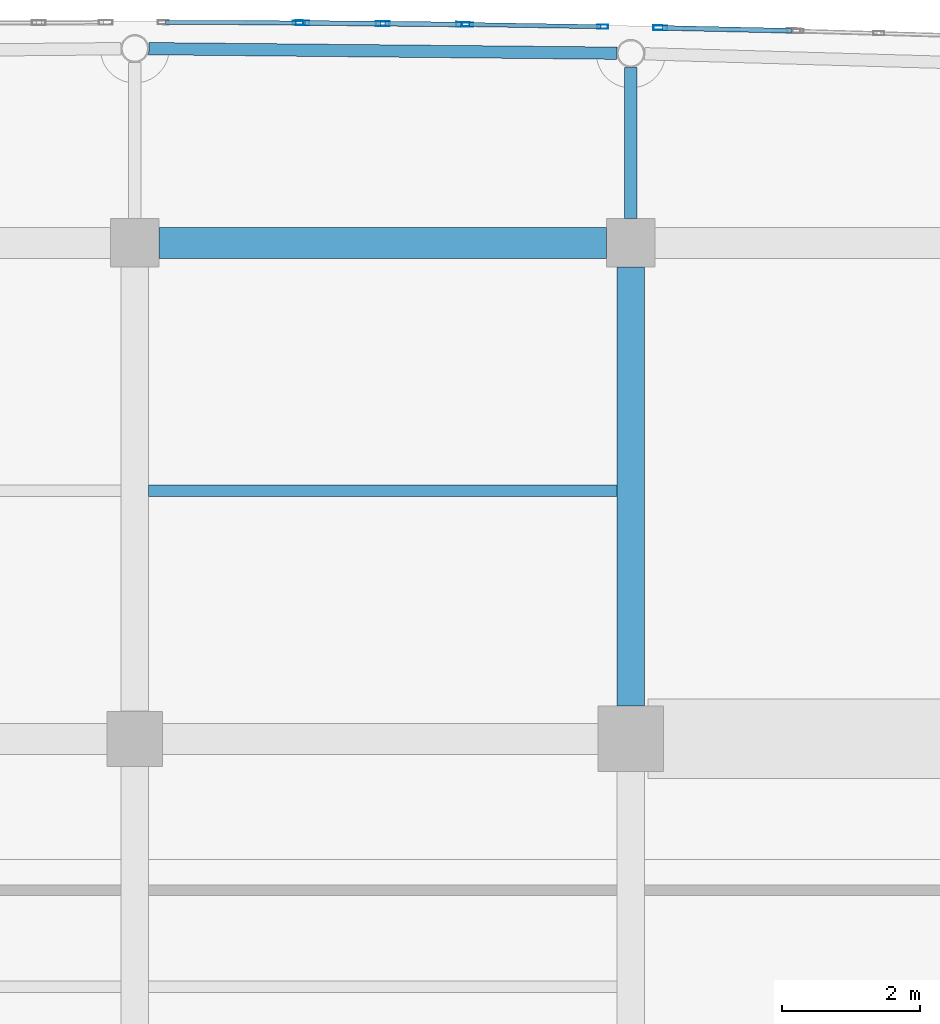
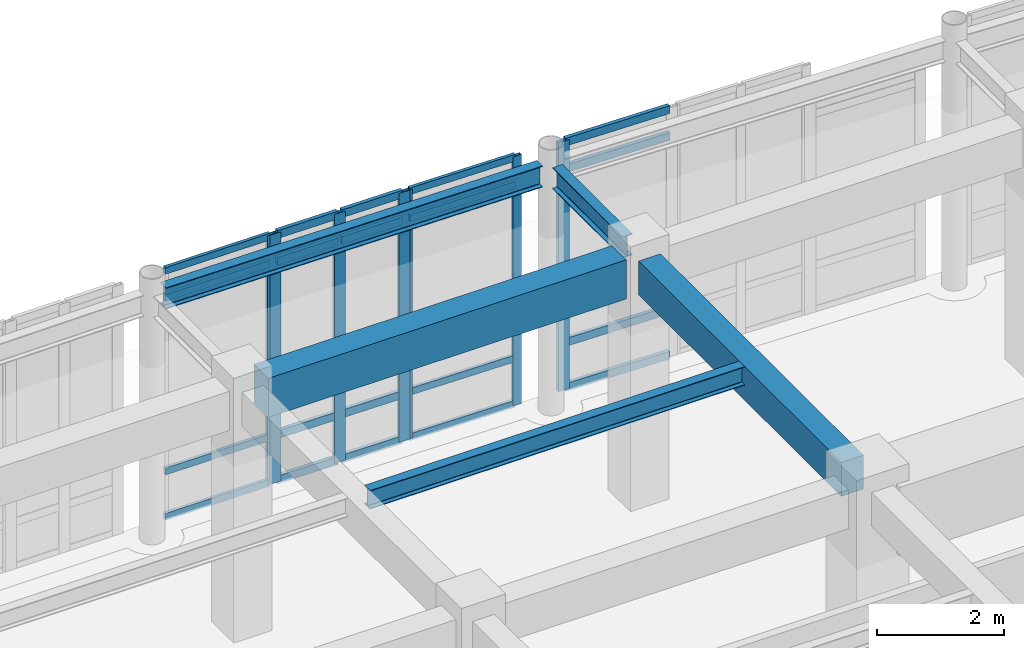
# One storey, part 50 of 117: 27 members, 5 beams, 4 elements without a shape of their own.
"""IFC4 building model written with IfcOpenShell, lengths in metres."""

from ifc_helpers import new_model, si_unit, direction, frame, origin, origin_2d, place, context, subcontext, project, spatial, rectangle, hollow_rectangle, i_section, extrude, material, layer, layer_set, material_profile, profile_set, type_object, element, aggregate, save


model = new_model("IFC4")

# Units and contexts
model_context = context("Model", 3, precision=1e-05, world=origin(), true_north=direction((0.0, 1.0)))
body_context = subcontext(model_context, "Body", "Model", "MODEL_VIEW")
ifc_project = project(units=[si_unit("LENGTHUNIT", "METRE"), si_unit("AREAUNIT", "SQUARE_METRE"), si_unit("VOLUMEUNIT", "CUBIC_METRE"), si_unit("PLANEANGLEUNIT", "RADIAN"), si_unit("MASSUNIT", "GRAM", prefix="KILO")], contexts=[model_context])

# Site, building, storey
site_placement = place(None, origin())
site = spatial("IfcSite", under=ifc_project, at=site_placement, CompositionType="ELEMENT")
building_placement = place(site_placement, origin())
building = spatial("IfcBuilding", under=site, at=building_placement, Name="Carrowvane Square Congress Hotel", CompositionType="ELEMENT")
storey_placement = place(building_placement, frame((0.0, 0.0, 5.39990234375)))
storey = spatial("IfcBuildingStorey", under=building, at=storey_placement, Name="L01", CompositionType="ELEMENT", Elevation=5.39990234375)

# Beams
ifc_material_1 = material(Name="Concrete C35/45", Category="concrete")
ifc_material_profile_1 = material_profile(ifc_material_1, rectangle(XDim=0.39990234375, YDim=0.64990234375, at=origin_2d()), Name="RC 400x650")
ifc_profile_set_1 = profile_set([ifc_material_profile_1], Name="Concrete C35/45")
beam_type_1 = type_object("IfcBeamType", Name="BM-RC-400x650", PredefinedType="BEAM", material=ifc_profile_set_1)
beam_1_placement = place(storey_placement, frame((105.199951171875, 106.675048828125, 4.455078125), z_axis=(0.0, 1.0, 0.0), x_axis=(-1.0, 0.0, 0.0)))
element("IfcBeam", 1, at=beam_1_placement, inside=storey, type_object=beam_type_1, Name="L02 girder 14/Q-R", PredefinedType="BEAM", context=body_context, shape_type="SweptSolid", body=[
    extrude(rectangle(XDim=0.39990234375, YDim=0.64990234375, at=origin_2d()), origin(), (0.0, 0.0, 1.0), 6.375),
])
ifc_material_2 = material(Name="Concrete C35/45", Category="concrete")
ifc_material_profile_2 = material_profile(ifc_material_2, rectangle(XDim=0.449951171875, YDim=0.75, at=origin_2d()), Name="RC 450x750")
ifc_profile_set_2 = profile_set([ifc_material_profile_2], Name="Concrete C35/45")
beam_type_2 = type_object("IfcBeamType", Name="BM-RC-450x750", PredefinedType="USERDEFINED", material=ifc_profile_set_2)
beam_2_placement = place(storey_placement, frame((98.35009765625, 113.39990234375, 4.405029296875), z_axis=(1.0, 0.0, 0.0), x_axis=(0.0, 1.0, 0.0)))
element("IfcBeam", 2, at=beam_2_placement, inside=storey, type_object=beam_type_2, Name="L02 girder R/13-14", ObjectType="GIRDER", PredefinedType="USERDEFINED", context=body_context, shape_type="SweptSolid", body=[
    extrude(rectangle(XDim=0.449951171875, YDim=0.75, at=origin_2d()), origin(), (0.0, 0.0, 1.0), 6.5),
])
ifc_material_3 = material(Name="Steel S355", Category="steel")
ifc_material_profile_3 = material_profile(ifc_material_3, i_section(OverallWidth=0.172119140625, OverallDepth=0.35791015625, WebThickness=0.008056640625, FlangeThickness=0.012939453125, FilletRadius=0.01025390625, at=origin_2d()), Name="UKB 356x171x57")
ifc_profile_set_3 = profile_set([ifc_material_profile_3], Name="Steel S355")
beam_type_3 = type_object("IfcBeamType", Name="BM-ST-UKB356", PredefinedType="JOIST", material=ifc_profile_set_3)
beam_3_placement = place(storey_placement, frame((98.199951171875, 109.800048828125, 4.60107421875), z_axis=(1.0, 0.0, 0.0), x_axis=(0.0, 1.0, 0.0)))
element("IfcBeam", 3, at=beam_3_placement, inside=storey, type_object=beam_type_3, Name="L02 secondary joist 13-14", PredefinedType="JOIST", context=body_context, shape_type="SweptSolid", body=[
    extrude(i_section(OverallWidth=0.172119140625, OverallDepth=0.35791015625, WebThickness=0.008056640625, FlangeThickness=0.012939453125, FilletRadius=0.01025390625, at=origin_2d()), origin(), (0.0, 0.0, 1.0), 6.800048828125),
])
ifc_material_4 = material(Name="Steel S355", Category="steel")
ifc_material_profile_4 = material_profile(ifc_material_4, i_section(OverallWidth=0.1787109375, OverallDepth=0.409423828125, WebThickness=0.0087890625, FlangeThickness=0.014404296875, FilletRadius=0.01025390625, at=origin_2d()), Name="UKB 406x178x67")
ifc_profile_set_4 = profile_set([ifc_material_profile_4], Name="Steel S355")
beam_type_4 = type_object("IfcBeamType", Name="BM-ST-UKB406", PredefinedType="BEAM", material=ifc_profile_set_4)
beam_4_placement = place(storey_placement, frame((98.203125, 116.218017578125, 4.575439453125), z_axis=(0.999952581816, -0.009738281154, 0.0), x_axis=(0.009738281154, 0.999952581816, 0.0)))
element("IfcBeam", 4, at=beam_4_placement, inside=storey, type_object=beam_type_4, Name="L02 curved north spandrel", PredefinedType="BEAM", context=body_context, shape_type="SweptSolid", body=[
    extrude(i_section(OverallWidth=0.1787109375, OverallDepth=0.409423828125, WebThickness=0.0087890625, FlangeThickness=0.014404296875, FilletRadius=0.01025390625, at=origin_2d()), origin(), (0.0, 0.0, 1.0), 6.7939453125),
])
beam_5_placement = place(storey_placement, frame((105.199951171875, 113.75, 4.575439453125), z_axis=(0.0, 1.0, 0.0), x_axis=(-1.0, 0.0, 0.0)))
element("IfcBeam", 5, at=beam_5_placement, inside=storey, type_object=beam_type_4, Name="L02 radial north beam 14", PredefinedType="BEAM", context=body_context, shape_type="SweptSolid", body=[
    extrude(i_section(OverallWidth=0.1787109375, OverallDepth=0.409423828125, WebThickness=0.0087890625, FlangeThickness=0.014404296875, FilletRadius=0.01025390625, at=origin_2d()), origin(), (0.0, 0.0, 1.0), 2.196533203125),
])

# Curtain wall, member
ifc_material_5 = material(Name="Anodised aluminium", Category="aluminium")
ifc_layer_1 = layer(ifc_material_5, 0.162109375)
ifc_layer_set_1 = layer_set([ifc_layer_1], Name="Anodised aluminium")
curtain_wall_type_1 = type_object("IfcCurtainWallType", Name="CW-SYS-1", PredefinedType="NOTDEFINED", material=ifc_layer_set_1)
curtain_wall_1_placement = place(storey_placement, origin())
curtain_wall_1 = element("IfcCurtainWall", 6, at=curtain_wall_1_placement, inside=storey, type_object=curtain_wall_type_1, Name="L01 unitised curtain wall 88", PredefinedType="NOTDEFINED")
ifc_material_6 = material(Name="Anodised aluminium", Category="aluminium")
ifc_material_profile_5 = material_profile(ifc_material_6, hollow_rectangle(XDim=0.06005859375, YDim=0.159912109375, WallThickness=0.00390625, at=origin_2d()), Name="CW-ML 60x160x4")
ifc_profile_set_5 = profile_set([ifc_material_profile_5], Name="Anodised aluminium")
member_type_1 = type_object("IfcMemberType", Name="CW-MUL-1", PredefinedType="MULLION", material=ifc_profile_set_5)
member_1_placement = place(storey_placement, frame((100.369873046875, 116.59228515625, 0.0), z_axis=(0.0, 0.0, 1.0), x_axis=(0.003270307911, 0.999994652529, 0.0)))
member_1 = element("IfcMember", 7, at=member_1_placement, type_object=member_type_1, Name="CW-1 mullion 2", PredefinedType="MULLION", context=body_context, shape_type="SweptSolid", body=[
    extrude(hollow_rectangle(XDim=0.06005859375, YDim=0.159912109375, WallThickness=0.00390625, at=origin_2d()), origin(), (0.0, 0.0, 1.0), 4.780029296875),
])

# Curtain wall, members
ifc_material_7 = material(Name="Anodised aluminium", Category="aluminium")
ifc_layer_2 = layer(ifc_material_7, 0.18603515625)
ifc_layer_set_2 = layer_set([ifc_layer_2], Name="Anodised aluminium")
curtain_wall_type_2 = type_object("IfcCurtainWallType", Name="CW-SYS-3", PredefinedType="NOTDEFINED", material=ifc_layer_set_2)
curtain_wall_2_placement = place(storey_placement, origin())
curtain_wall_2 = element("IfcCurtainWall", 8, at=curtain_wall_2_placement, inside=storey, type_object=curtain_wall_type_2, Name="L01 unitised curtain wall 90", PredefinedType="NOTDEFINED")
member_2_placement = place(storey_placement, frame((102.830078125, 116.568115234375, 0.0), z_axis=(0.0, 0.0, 1.0), x_axis=(0.016215981364, 0.99986851233, 0.0)))
member_2 = element("IfcMember", 9, at=member_2_placement, type_object=member_type_1, Name="CW-3 mullion 1", PredefinedType="MULLION", context=body_context, shape_type="SweptSolid", body=[
    extrude(hollow_rectangle(XDim=0.06005859375, YDim=0.159912109375, WallThickness=0.00390625, at=origin_2d()), origin(), (0.0, 0.0, 1.0), 4.780029296875),
])
member_3_placement = place(storey_placement, frame((104.79248046875, 116.536376953125, 0.0), z_axis=(0.0, 0.0, 1.0), x_axis=(0.016215981364, 0.99986851233, 0.0)))
member_3 = element("IfcMember", 10, at=member_3_placement, type_object=member_type_1, Name="CW-3 mullion 2", PredefinedType="MULLION", context=body_context, shape_type="SweptSolid", body=[
    extrude(hollow_rectangle(XDim=0.06005859375, YDim=0.159912109375, WallThickness=0.00390625, at=origin_2d()), origin(), (0.0, 0.0, 1.0), 4.780029296875),
])

ifc_material_8 = material(Name="Anodised aluminium", Category="aluminium")
ifc_layer_3 = layer(ifc_material_8, 0.174072265625)
ifc_layer_set_3 = layer_set([ifc_layer_3], Name="Anodised aluminium")
curtain_wall_type_3 = type_object("IfcCurtainWallType", Name="CW-SYS-2", PredefinedType="NOTDEFINED", material=ifc_layer_set_3)
curtain_wall_3_placement = place(storey_placement, origin())
curtain_wall_3 = element("IfcCurtainWall", 11, at=curtain_wall_3_placement, inside=storey, type_object=curtain_wall_type_3, Name="L01 unitised curtain wall 89", PredefinedType="NOTDEFINED")
ifc_material_9 = material(Name="Anodised aluminium", Category="aluminium")
ifc_material_profile_6 = material_profile(ifc_material_9, hollow_rectangle(XDim=0.070068359375, YDim=0.199951171875, WallThickness=0.0048828125, at=origin_2d()), Name="CW-ML 70x200x5")
ifc_profile_set_6 = profile_set([ifc_material_profile_6], Name="Anodised aluminium")
member_type_2 = type_object("IfcMemberType", Name="CW-MUL-2", PredefinedType="MULLION", material=ifc_profile_set_6)
member_4_placement = place(storey_placement, frame((100.43505859375, 116.591796875, 0.0), z_axis=(0.0, 0.0, 1.0), x_axis=(0.009782905924, 0.999952146231, 0.0)))
member_4 = element("IfcMember", 12, at=member_4_placement, type_object=member_type_2, Name="CW-2 mullion 1", PredefinedType="MULLION", context=body_context, shape_type="SweptSolid", body=[
    extrude(hollow_rectangle(XDim=0.070068359375, YDim=0.199951171875, WallThickness=0.0048828125, at=origin_2d()), origin(), (0.0, 0.0, 1.0), 4.780029296875),
])
member_5_placement = place(storey_placement, frame((101.60009765625, 116.580322265625, 0.0), z_axis=(0.0, 0.0, 1.0), x_axis=(0.009782905924, 0.999952146231, 0.0)))
member_5 = element("IfcMember", 13, at=member_5_placement, type_object=member_type_2, Name="CW-2 mullion 2", PredefinedType="MULLION", context=body_context, shape_type="SweptSolid", body=[
    extrude(hollow_rectangle(XDim=0.070068359375, YDim=0.199951171875, WallThickness=0.0048828125, at=origin_2d()), origin(), (0.0, 0.0, 1.0), 4.780029296875),
])
member_6_placement = place(storey_placement, frame((102.764892578125, 116.569091796875, 0.0), z_axis=(0.0, 0.0, 1.0), x_axis=(0.009782905924, 0.999952146231, 0.0)))
member_6 = element("IfcMember", 14, at=member_6_placement, type_object=member_type_2, Name="CW-2 mullion 3", PredefinedType="MULLION", context=body_context, shape_type="SweptSolid", body=[
    extrude(hollow_rectangle(XDim=0.070068359375, YDim=0.199951171875, WallThickness=0.0048828125, at=origin_2d()), origin(), (0.0, 0.0, 1.0), 4.780029296875),
])

# Curtain wall, member
ifc_material_10 = material(Name="Anodised aluminium", Category="aluminium")
ifc_layer_4 = layer(ifc_material_10, 0.197998046875)
ifc_layer_set_4 = layer_set([ifc_layer_4], Name="Anodised aluminium")
curtain_wall_type_4 = type_object("IfcCurtainWallType", Name="CW-SYS-4", PredefinedType="NOTDEFINED", material=ifc_layer_set_4)
curtain_wall_4_placement = place(storey_placement, origin())
curtain_wall_4 = element("IfcCurtainWall", 15, at=curtain_wall_4_placement, inside=storey, type_object=curtain_wall_type_4, Name="L01 unitised curtain wall 91", PredefinedType="NOTDEFINED")
member_7_placement = place(storey_placement, frame((105.627197265625, 116.52001953125, 0.0), z_axis=(0.0, 0.0, 1.0), x_axis=(0.022517686606, 0.99974644475, 0.0)))
member_7 = element("IfcMember", 16, at=member_7_placement, type_object=member_type_2, Name="CW-4 mullion 1", PredefinedType="MULLION", context=body_context, shape_type="SweptSolid", body=[
    extrude(hollow_rectangle(XDim=0.070068359375, YDim=0.199951171875, WallThickness=0.0048828125, at=origin_2d()), origin(), (0.0, 0.0, 1.0), 4.780029296875),
])

# Member
ifc_material_11 = material(Name="Anodised aluminium", Category="aluminium")
ifc_material_profile_7 = material_profile(ifc_material_11, hollow_rectangle(XDim=0.06005859375, YDim=0.1298828125, WallThickness=0.00390625, at=origin_2d()), Name="CW-TR 60x130x4")
ifc_profile_set_7 = profile_set([ifc_material_profile_7], Name="Anodised aluminium")
member_type_3 = type_object("IfcMemberType", Name="CW-TRN-1", PredefinedType="USERDEFINED", material=ifc_profile_set_7)
member_8_placement = place(storey_placement, frame((98.44482421875, 116.5986328125, 0.030029296875), z_axis=(0.999994391408, -0.003349201878, 0.0), x_axis=(0.003349201878, 0.999994391408, 0.0)))
member_8 = element("IfcMember", 17, at=member_8_placement, type_object=member_type_3, Name="CW-1 transom 1.1", ObjectType="TRANSOM", PredefinedType="USERDEFINED", context=body_context, shape_type="SweptSolid", body=[
    extrude(hollow_rectangle(XDim=0.06005859375, YDim=0.1298828125, WallThickness=0.00390625, at=origin_2d()), origin(), (0.0, 0.0, 1.0), 1.895263671875),
])

member_9_placement = place(storey_placement, frame((98.44482421875, 116.5986328125, 0.900146484375), z_axis=(0.999994391408, -0.003349201878, 0.0), x_axis=(0.003349201878, 0.999994391408, 0.0)))
member_9 = element("IfcMember", 18, at=member_9_placement, type_object=member_type_3, Name="CW-1 transom 1.2", ObjectType="TRANSOM", PredefinedType="USERDEFINED", context=body_context, shape_type="SweptSolid", body=[
    extrude(hollow_rectangle(XDim=0.06005859375, YDim=0.1298828125, WallThickness=0.00390625, at=origin_2d()), origin(), (0.0, 0.0, 1.0), 1.895263671875),
])

member_10_placement = place(storey_placement, frame((98.44482421875, 116.5986328125, 4.22998046875), z_axis=(0.999994391408, -0.003349201878, 0.0), x_axis=(0.003349201878, 0.999994391408, 0.0)))
member_10 = element("IfcMember", 19, at=member_10_placement, type_object=member_type_3, Name="CW-1 transom 1.3", ObjectType="TRANSOM", PredefinedType="USERDEFINED", context=body_context, shape_type="SweptSolid", body=[
    extrude(hollow_rectangle(XDim=0.06005859375, YDim=0.1298828125, WallThickness=0.00390625, at=origin_2d()), origin(), (0.0, 0.0, 1.0), 1.895263671875),
])

member_11_placement = place(storey_placement, frame((98.44482421875, 116.5986328125, 4.75), z_axis=(0.999994391408, -0.003349201878, 0.0), x_axis=(0.003349201878, 0.999994391408, 0.0)))
member_11 = element("IfcMember", 20, at=member_11_placement, type_object=member_type_3, Name="CW-1 transom 1.4", ObjectType="TRANSOM", PredefinedType="USERDEFINED", context=body_context, shape_type="SweptSolid", body=[
    extrude(hollow_rectangle(XDim=0.06005859375, YDim=0.1298828125, WallThickness=0.00390625, at=origin_2d()), origin(), (0.0, 0.0, 1.0), 1.895263671875),
])

aggregate(curtain_wall_1, [member_1, member_8, member_9, member_10, member_11])

member_12_placement = place(storey_placement, frame((102.860107421875, 116.567626953125, 0.030029296875), z_axis=(0.999869284212, -0.016168317481, 0.0), x_axis=(0.016168317481, 0.999869284212, 0.0)))
member_12 = element("IfcMember", 21, at=member_12_placement, type_object=member_type_3, Name="CW-3 transom 1.1", ObjectType="TRANSOM", PredefinedType="USERDEFINED", context=body_context, shape_type="SweptSolid", body=[
    extrude(hollow_rectangle(XDim=0.06005859375, YDim=0.1298828125, WallThickness=0.00390625, at=origin_2d()), origin(), (0.0, 0.0, 1.0), 1.902587890625),
])

member_13_placement = place(storey_placement, frame((102.860107421875, 116.567626953125, 0.900146484375), z_axis=(0.999869284212, -0.016168317481, 0.0), x_axis=(0.016168317481, 0.999869284212, 0.0)))
member_13 = element("IfcMember", 22, at=member_13_placement, type_object=member_type_3, Name="CW-3 transom 1.2", ObjectType="TRANSOM", PredefinedType="USERDEFINED", context=body_context, shape_type="SweptSolid", body=[
    extrude(hollow_rectangle(XDim=0.06005859375, YDim=0.1298828125, WallThickness=0.00390625, at=origin_2d()), origin(), (0.0, 0.0, 1.0), 1.902587890625),
])

member_14_placement = place(storey_placement, frame((102.860107421875, 116.567626953125, 4.22998046875), z_axis=(0.999869284212, -0.016168317481, 0.0), x_axis=(0.016168317481, 0.999869284212, 0.0)))
member_14 = element("IfcMember", 23, at=member_14_placement, type_object=member_type_3, Name="CW-3 transom 1.3", ObjectType="TRANSOM", PredefinedType="USERDEFINED", context=body_context, shape_type="SweptSolid", body=[
    extrude(hollow_rectangle(XDim=0.06005859375, YDim=0.1298828125, WallThickness=0.00390625, at=origin_2d()), origin(), (0.0, 0.0, 1.0), 1.902587890625),
])

member_15_placement = place(storey_placement, frame((102.860107421875, 116.567626953125, 4.75), z_axis=(0.999869284212, -0.016168317481, 0.0), x_axis=(0.016168317481, 0.999869284212, 0.0)))
member_15 = element("IfcMember", 24, at=member_15_placement, type_object=member_type_3, Name="CW-3 transom 1.4", ObjectType="TRANSOM", PredefinedType="USERDEFINED", context=body_context, shape_type="SweptSolid", body=[
    extrude(hollow_rectangle(XDim=0.06005859375, YDim=0.1298828125, WallThickness=0.00390625, at=origin_2d()), origin(), (0.0, 0.0, 1.0), 1.902587890625),
])

aggregate(curtain_wall_2, [member_2, member_3, member_12, member_13, member_14, member_15])

ifc_material_12 = material(Name="Anodised aluminium", Category="aluminium")
ifc_material_profile_8 = material_profile(ifc_material_12, hollow_rectangle(XDim=0.070068359375, YDim=0.14990234375, WallThickness=0.0048828125, at=origin_2d()), Name="CW-TR 70x150x5")
ifc_profile_set_8 = profile_set([ifc_material_profile_8], Name="Anodised aluminium")
member_type_4 = type_object("IfcMemberType", Name="CW-TRN-2", PredefinedType="USERDEFINED", material=ifc_profile_set_8)
member_16_placement = place(storey_placement, frame((100.469970703125, 116.591552734375, 0.03515625), z_axis=(0.999951880721, -0.009810007302, 0.0), x_axis=(0.009810007302, 0.999951880721, 0.0)))
member_16 = element("IfcMember", 25, at=member_16_placement, type_object=member_type_4, Name="CW-2 transom 1.1", ObjectType="TRANSOM", PredefinedType="USERDEFINED", context=body_context, shape_type="SweptSolid", body=[
    extrude(hollow_rectangle(XDim=0.070068359375, YDim=0.14990234375, WallThickness=0.0048828125, at=origin_2d()), origin(), (0.0, 0.0, 1.0), 1.094970703125),
])

member_17_placement = place(storey_placement, frame((100.469970703125, 116.591552734375, 0.900146484375), z_axis=(0.999951880721, -0.009810007302, 0.0), x_axis=(0.009810007302, 0.999951880721, 0.0)))
member_17 = element("IfcMember", 26, at=member_17_placement, type_object=member_type_4, Name="CW-2 transom 1.2", ObjectType="TRANSOM", PredefinedType="USERDEFINED", context=body_context, shape_type="SweptSolid", body=[
    extrude(hollow_rectangle(XDim=0.070068359375, YDim=0.14990234375, WallThickness=0.0048828125, at=origin_2d()), origin(), (0.0, 0.0, 1.0), 1.094970703125),
])

member_18_placement = place(storey_placement, frame((100.469970703125, 116.591552734375, 4.22998046875), z_axis=(0.999951880721, -0.009810007302, 0.0), x_axis=(0.009810007302, 0.999951880721, 0.0)))
member_18 = element("IfcMember", 27, at=member_18_placement, type_object=member_type_4, Name="CW-2 transom 1.3", ObjectType="TRANSOM", PredefinedType="USERDEFINED", context=body_context, shape_type="SweptSolid", body=[
    extrude(hollow_rectangle(XDim=0.070068359375, YDim=0.14990234375, WallThickness=0.0048828125, at=origin_2d()), origin(), (0.0, 0.0, 1.0), 1.094970703125),
])

member_19_placement = place(storey_placement, frame((100.469970703125, 116.591552734375, 4.7451171875), z_axis=(0.999951880721, -0.009810007302, 0.0), x_axis=(0.009810007302, 0.999951880721, 0.0)))
member_19 = element("IfcMember", 28, at=member_19_placement, type_object=member_type_4, Name="CW-2 transom 1.4", ObjectType="TRANSOM", PredefinedType="USERDEFINED", context=body_context, shape_type="SweptSolid", body=[
    extrude(hollow_rectangle(XDim=0.070068359375, YDim=0.14990234375, WallThickness=0.0048828125, at=origin_2d()), origin(), (0.0, 0.0, 1.0), 1.094970703125),
])

member_20_placement = place(storey_placement, frame((101.635009765625, 116.580078125, 0.03515625), z_axis=(0.999951880721, -0.009810007302, 0.0), x_axis=(0.009810007302, 0.999951880721, 0.0)))
member_20 = element("IfcMember", 29, at=member_20_placement, type_object=member_type_4, Name="CW-2 transom 2.1", ObjectType="TRANSOM", PredefinedType="USERDEFINED", context=body_context, shape_type="SweptSolid", body=[
    extrude(hollow_rectangle(XDim=0.070068359375, YDim=0.14990234375, WallThickness=0.0048828125, at=origin_2d()), origin(), (0.0, 0.0, 1.0), 1.094970703125),
])

member_21_placement = place(storey_placement, frame((101.635009765625, 116.580078125, 0.900146484375), z_axis=(0.999951880721, -0.009810007302, 0.0), x_axis=(0.009810007302, 0.999951880721, 0.0)))
member_21 = element("IfcMember", 30, at=member_21_placement, type_object=member_type_4, Name="CW-2 transom 2.2", ObjectType="TRANSOM", PredefinedType="USERDEFINED", context=body_context, shape_type="SweptSolid", body=[
    extrude(hollow_rectangle(XDim=0.070068359375, YDim=0.14990234375, WallThickness=0.0048828125, at=origin_2d()), origin(), (0.0, 0.0, 1.0), 1.094970703125),
])

member_22_placement = place(storey_placement, frame((101.635009765625, 116.580078125, 4.22998046875), z_axis=(0.999951880721, -0.009810007302, 0.0), x_axis=(0.009810007302, 0.999951880721, 0.0)))
member_22 = element("IfcMember", 31, at=member_22_placement, type_object=member_type_4, Name="CW-2 transom 2.3", ObjectType="TRANSOM", PredefinedType="USERDEFINED", context=body_context, shape_type="SweptSolid", body=[
    extrude(hollow_rectangle(XDim=0.070068359375, YDim=0.14990234375, WallThickness=0.0048828125, at=origin_2d()), origin(), (0.0, 0.0, 1.0), 1.094970703125),
])

member_23_placement = place(storey_placement, frame((101.635009765625, 116.580078125, 4.7451171875), z_axis=(0.999951880721, -0.009810007302, 0.0), x_axis=(0.009810007302, 0.999951880721, 0.0)))
member_23 = element("IfcMember", 32, at=member_23_placement, type_object=member_type_4, Name="CW-2 transom 2.4", ObjectType="TRANSOM", PredefinedType="USERDEFINED", context=body_context, shape_type="SweptSolid", body=[
    extrude(hollow_rectangle(XDim=0.070068359375, YDim=0.14990234375, WallThickness=0.0048828125, at=origin_2d()), origin(), (0.0, 0.0, 1.0), 1.094970703125),
])

aggregate(curtain_wall_3, [member_4, member_5, member_6, member_16, member_17, member_18, member_19, member_20, member_21, member_22, member_23])

member_24_placement = place(storey_placement, frame((105.662353515625, 116.519287109375, 0.03515625), z_axis=(0.999747338303, -0.022477979371, 0.0), x_axis=(0.022477979371, 0.999747338303, 0.0)))
member_24 = element("IfcMember", 33, at=member_24_placement, type_object=member_type_4, Name="CW-4 transom 1.1", ObjectType="TRANSOM", PredefinedType="USERDEFINED", context=body_context, shape_type="SweptSolid", body=[
    extrude(hollow_rectangle(XDim=0.070068359375, YDim=0.14990234375, WallThickness=0.0048828125, at=origin_2d()), origin(), (0.0, 0.0, 1.0), 1.8681640625),
])

member_25_placement = place(storey_placement, frame((105.662353515625, 116.519287109375, 0.900146484375), z_axis=(0.999747338303, -0.022477979371, 0.0), x_axis=(0.022477979371, 0.999747338303, 0.0)))
member_25 = element("IfcMember", 34, at=member_25_placement, type_object=member_type_4, Name="CW-4 transom 1.2", ObjectType="TRANSOM", PredefinedType="USERDEFINED", context=body_context, shape_type="SweptSolid", body=[
    extrude(hollow_rectangle(XDim=0.070068359375, YDim=0.14990234375, WallThickness=0.0048828125, at=origin_2d()), origin(), (0.0, 0.0, 1.0), 1.8681640625),
])

member_26_placement = place(storey_placement, frame((105.662353515625, 116.519287109375, 4.22998046875), z_axis=(0.999747338303, -0.022477979371, 0.0), x_axis=(0.022477979371, 0.999747338303, 0.0)))
member_26 = element("IfcMember", 35, at=member_26_placement, type_object=member_type_4, Name="CW-4 transom 1.3", ObjectType="TRANSOM", PredefinedType="USERDEFINED", context=body_context, shape_type="SweptSolid", body=[
    extrude(hollow_rectangle(XDim=0.070068359375, YDim=0.14990234375, WallThickness=0.0048828125, at=origin_2d()), origin(), (0.0, 0.0, 1.0), 1.8681640625),
])

member_27_placement = place(storey_placement, frame((105.662353515625, 116.519287109375, 4.7451171875), z_axis=(0.999747338303, -0.022477979371, 0.0), x_axis=(0.022477979371, 0.999747338303, 0.0)))
member_27 = element("IfcMember", 36, at=member_27_placement, type_object=member_type_4, Name="CW-4 transom 1.4", ObjectType="TRANSOM", PredefinedType="USERDEFINED", context=body_context, shape_type="SweptSolid", body=[
    extrude(hollow_rectangle(XDim=0.070068359375, YDim=0.14990234375, WallThickness=0.0048828125, at=origin_2d()), origin(), (0.0, 0.0, 1.0), 1.8681640625),
])

aggregate(curtain_wall_4, [member_7, member_24, member_25, member_26, member_27])

save(model, "model.ifc")
